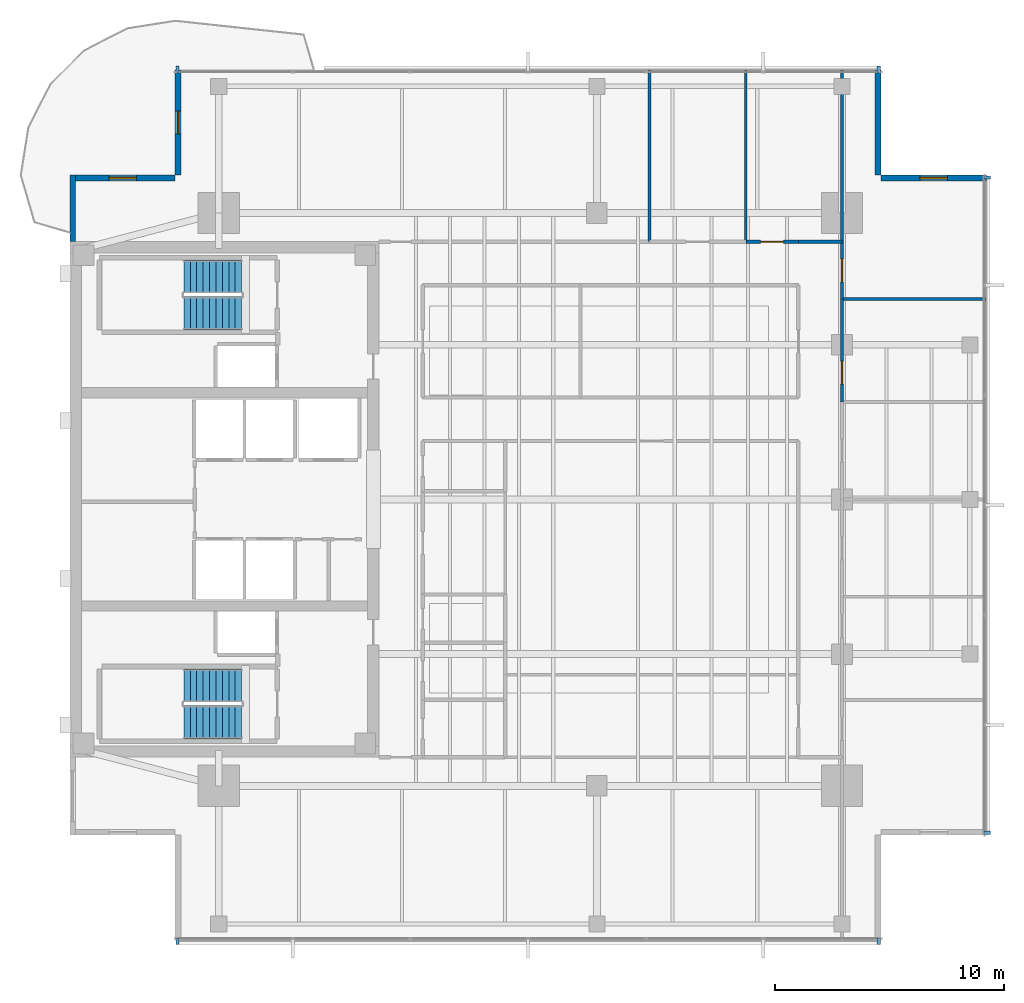
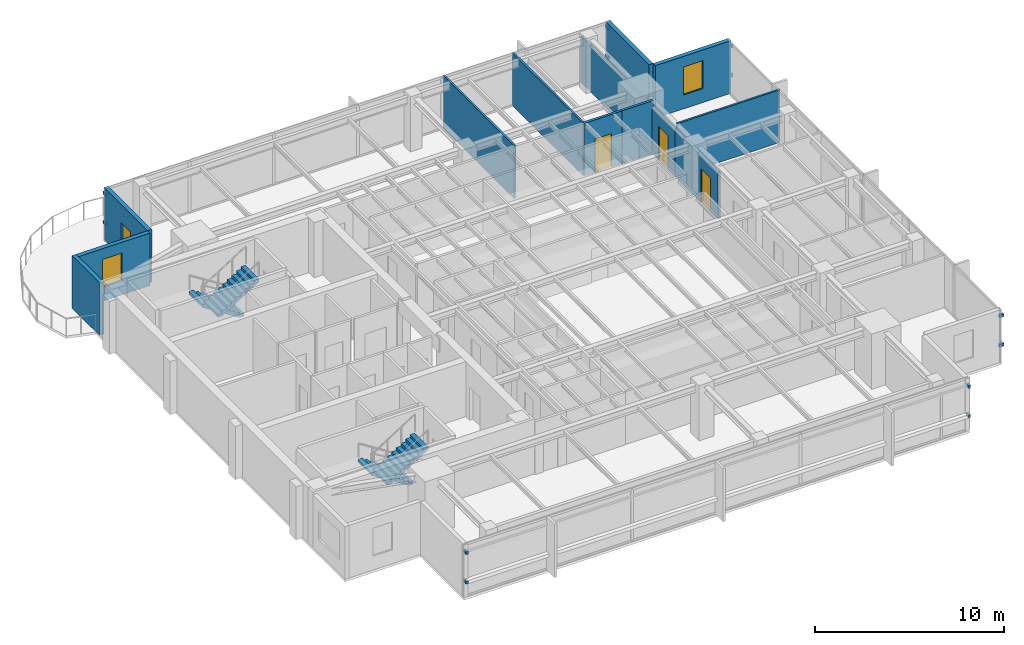
# One storey, part 9 of 13: 13 walls, 12 discrete accessories, 4 doors, 4 stair flights, 2 windows, 6 openings, 2 elements without a shape of their own.
"""IFC4 building model written with IfcOpenShell, lengths in metres."""

from ifc_helpers import new_model, si_unit, direction, frame, frame_2d, origin, origin_2d, place, context, subcontext, project, spatial, polyline, rectangle, outline, extrude, material, layer, layer_set, type_object, element, fill, aggregate, save


model = new_model("IFC4")

# Units and contexts
model_context = context("Model", 3, precision=1e-05, world=origin(), true_north=direction((0.0, 1.0)))
body_context = subcontext(model_context, "Body", "Model", "MODEL_VIEW")
ifc_project = project(units=[si_unit("LENGTHUNIT", "METRE"), si_unit("AREAUNIT", "SQUARE_METRE"), si_unit("VOLUMEUNIT", "CUBIC_METRE"), si_unit("PLANEANGLEUNIT", "RADIAN"), si_unit("MASSUNIT", "GRAM", prefix="KILO")], contexts=[model_context])

# Site, building, storey
site_placement = place(None, origin())
site = spatial("IfcSite", under=ifc_project, at=site_placement, CompositionType="ELEMENT")
building_placement = place(site_placement, origin())
building = spatial("IfcBuilding", under=site, at=building_placement, Name="Kinhvarn Gate Tower", CompositionType="ELEMENT")
storey_placement = place(building_placement, frame((0.0, 0.0, 288.300048828125)))
storey = spatial("IfcBuildingStorey", under=building, at=storey_placement, Name="L77", CompositionType="ELEMENT", Elevation=288.300048828125)

# Wall
ifc_material_1 = material(Name="Fired architectural terracotta", Category="masonry")
ifc_layer_1 = layer(ifc_material_1, 0.25)
ifc_layer_set_1 = layer_set([ifc_layer_1], Name="Fired architectural terracotta")
wall_type_1 = type_object("IfcWallType", Name="WL-EXT-250", PredefinedType="SOLIDWALL", material=ifc_layer_set_1)
wall_1_placement = place(storey_placement, frame((4.625, 39.39990234375, 0.0), z_axis=(0.0, 0.0, 1.0), x_axis=(0.0, -1.0, 0.0)))
element("IfcWall", 1, at=wall_1_placement, inside=storey, type_object=wall_type_1, Name="Exterior Solidwall Wall EW-250 (L77 West-North)", PredefinedType="SOLIDWALL", context=body_context, shape_type="SweptSolid", body=[
    extrude(rectangle(XDim=2.89990234375, YDim=0.25, at=frame_2d((1.449951171875, 0.0))), origin(), (0.0, 0.0, 1.0), 3.389892578125),
])

# Wall, opening, window
wall_2_placement = place(storey_placement, frame((44.5, 39.27490234375, 0.0), z_axis=(0.0, 0.0, 1.0), x_axis=(-1.0, 0.0, 0.0)))
wall_2 = element("IfcWall", 2, at=wall_2_placement, inside=storey, type_object=wall_type_1, Name="Exterior Solidwall Wall EW-250 (L77 NE-Notch-1)", PredefinedType="SOLIDWALL", context=body_context, shape_type="SweptSolid", body=[
    extrude(rectangle(XDim=4.60009765625, YDim=0.25, at=frame_2d((2.300048828125, 0.0))), origin(), (0.0, 0.0, 1.0), 3.389892578125),
])
opening_1_placement = place(wall_2_placement, frame((1.699951171875, 0.0, 0.89990234375)))
opening_1 = element("IfcOpeningElement", 3, at=opening_1_placement, cuts=wall_2, Name="Opening WN-02", PredefinedType="OPENING", context=body_context, shape_type="SweptSolid", body=[
    extrude(rectangle(XDim=1.199951171875, YDim=1.800048828125, at=frame_2d((0.60009765625, 0.89990234375))), frame((0.0, 0.135009765625, 0.0), z_axis=(0.0, -1.0, 0.0), x_axis=(1.0, 0.0, 0.0)), (0.0, 0.0, 1.0), 0.27001953125),
])
ifc_material_2 = material(Name="Clear low-e double glazing", Category="glass")
window_type = type_object("IfcWindowType", Name="WIN-NTC-1200", PartitioningType="SINGLE_PANEL", PredefinedType="WINDOW", material=ifc_material_2)
window_1_placement = place(opening_1_placement, origin())
window_1 = element("IfcWindow", 4, at=window_1_placement, inside=storey, type_object=window_type, Name="Recessed Corner Notch Punched Window 1200x1800 mm (L77)", OverallHeight=1.800048828125, OverallWidth=1.199951171875, PartitioningType="SINGLE_PANEL", PredefinedType="WINDOW", context=body_context, shape_type="SweptSolid", body=[
    extrude(rectangle(XDim=1.199951171875, YDim=1.800048828125, at=frame_2d((0.60009765625, 0.89990234375))), frame((0.0, 0.030029296875, 0.0), z_axis=(0.0, -1.0, 0.0), x_axis=(1.0, 0.0, 0.0)), (0.0, 0.0, 1.0), 0.06005859375),
])
fill(opening_1, window_1)

# Wall
wall_3_placement = place(storey_placement, frame((39.77490234375, 39.39990234375, 0.0), z_axis=(0.0, 0.0, 1.0), x_axis=(0.0, 1.0, 0.0)))
element("IfcWall", 5, at=wall_3_placement, inside=storey, type_object=wall_type_1, Name="Exterior Solidwall Wall EW-250 (L77 NE-Notch-2)", PredefinedType="SOLIDWALL", context=body_context, shape_type="SweptSolid", body=[
    extrude(rectangle(XDim=4.60009765625, YDim=0.25, at=frame_2d((2.300048828125, 0.0))), origin(), (0.0, 0.0, 1.0), 3.389892578125),
])

# Wall, opening, door
wall_4_placement = place(storey_placement, frame((9.22509765625, 44.0, 0.0), z_axis=(0.0, 0.0, 1.0), x_axis=(0.0, -1.0, 0.0)))
wall_4 = element("IfcWall", 6, at=wall_4_placement, inside=storey, type_object=wall_type_1, Name="Exterior Solidwall Wall EW-250 (L77 NW-Notch-Door)", PredefinedType="SOLIDWALL", context=body_context, shape_type="SweptSolid", body=[
    extrude(rectangle(XDim=4.60009765625, YDim=0.25, at=frame_2d((2.300048828125, 0.0))), origin(), (0.0, 0.0, 1.0), 3.389892578125),
])
opening_2_placement = place(wall_4_placement, frame((1.800048828125, 0.0, 0.0)))
opening_2 = element("IfcOpeningElement", 7, at=opening_2_placement, cuts=wall_4, Name="Opening BD-01", PredefinedType="OPENING", context=body_context, shape_type="SweptSolid", body=[
    extrude(rectangle(XDim=1.0, YDim=2.199951171875, at=frame_2d((0.5, 1.10009765625))), frame((0.0, 0.135009765625, 0.0), z_axis=(0.0, -1.0, 0.0), x_axis=(1.0, 0.0, 0.0)), (0.0, 0.0, 1.0), 0.27001953125),
])
door_type_1 = type_object("IfcDoorType", Name="DR-BAL-1000", OperationType="NOTDEFINED", PredefinedType="DOOR", material=ifc_material_2)
door_1_placement = place(opening_2_placement, frame((1.0, 0.0, 0.0), z_axis=(0.0, 0.0, 1.0), x_axis=(-1.0, 0.0, 0.0)))
door_1 = element("IfcDoor", 8, at=door_1_placement, inside=storey, type_object=door_type_1, Name="S-Carve Balcony Door BD-01 (L77)", OperationType="SINGLE_SWING_RIGHT", OverallHeight=2.199951171875, OverallWidth=1.0, PredefinedType="DOOR", context=body_context, shape_type="SweptSolid", body=[
    extrude(rectangle(XDim=1.0, YDim=2.199951171875, at=frame_2d((0.5, 1.10009765625))), frame((0.0, 0.02490234375, 0.0), z_axis=(0.0, -1.0, 0.0), x_axis=(1.0, 0.0, 0.0)), (0.0, 0.0, 1.0), 0.050048828125),
])
fill(opening_2, door_1)

# Wall, opening, window
wall_5_placement = place(storey_placement, frame((9.10009765625, 39.27490234375, 0.0), z_axis=(0.0, 0.0, 1.0), x_axis=(-1.0, 0.0, 0.0)))
wall_5 = element("IfcWall", 9, at=wall_5_placement, inside=storey, type_object=wall_type_1, Name="Exterior Solidwall Wall EW-250 (L77 NW-Notch-Win)", PredefinedType="SOLIDWALL", context=body_context, shape_type="SweptSolid", body=[
    extrude(rectangle(XDim=4.60009765625, YDim=0.25, at=frame_2d((2.300048828125, 0.0))), origin(), (0.0, 0.0, 1.0), 3.389892578125),
])
opening_3_placement = place(wall_5_placement, frame((1.699951171875, 0.0, 0.89990234375)))
opening_3 = element("IfcOpeningElement", 10, at=opening_3_placement, cuts=wall_5, Name="Opening WN-02", PredefinedType="OPENING", context=body_context, shape_type="SweptSolid", body=[
    extrude(rectangle(XDim=1.199951171875, YDim=1.800048828125, at=frame_2d((0.60009765625, 0.89990234375))), frame((0.0, 0.135009765625, 0.0), z_axis=(0.0, -1.0, 0.0), x_axis=(1.0, 0.0, 0.0)), (0.0, 0.0, 1.0), 0.27001953125),
])
window_2_placement = place(opening_3_placement, origin())
window_2 = element("IfcWindow", 11, at=window_2_placement, inside=storey, type_object=window_type, Name="Recessed Corner Notch Punched Window 1200x1800 mm (L77)", OverallHeight=1.800048828125, OverallWidth=1.199951171875, PartitioningType="SINGLE_PANEL", PredefinedType="WINDOW", context=body_context, shape_type="SweptSolid", body=[
    extrude(rectangle(XDim=1.199951171875, YDim=1.800048828125, at=frame_2d((0.60009765625, 0.89990234375))), frame((0.0, 0.030029296875, 0.0), z_axis=(0.0, -1.0, 0.0), x_axis=(1.0, 0.0, 0.0)), (0.0, 0.0, 1.0), 0.06005859375),
])
fill(opening_3, window_2)

# Walls
ifc_material_3 = material(Name="Gypsum acoustic partition board")
ifc_layer_2 = layer(ifc_material_3, 0.1201171875)
ifc_layer_set_2 = layer_set([ifc_layer_2], Name="Gypsum acoustic partition board")
wall_type_2 = type_object("IfcWallType", Name="WL-PRT-120", PredefinedType="PARTITIONING", material=ifc_layer_set_2)
for number, where, z_axis, x_axis, name in (
    (12, (29.800048828125, 36.5, 0.0), (0.0, 0.0, 1.0), (0.0, 1.0, 0.0), "Interior Partition PW-120 (L77)"),
    (13, (34.0, 36.5, 0.0), (0.0, 0.0, 1.0), (0.0, 1.0, 0.0), "Interior Partition PW-120 (L77)"),
):
    element("IfcWall", number, at=place(storey_placement, frame(where, z_axis=z_axis, x_axis=x_axis)), inside=storey, type_object=wall_type_2, Name=name, PredefinedType="PARTITIONING", context=body_context, shape_type="SweptSolid", body=[
        extrude(rectangle(XDim=7.489990234375, YDim=0.1201171875, at=frame_2d((3.7451171875, 0.0))), origin(), (0.0, 0.0, 1.0), 3.389892578125),
    ])
wall_6_placement = place(storey_placement, frame((38.199951171875, 36.5, 0.0), z_axis=(0.0, 0.0, 1.0), x_axis=(0.0, 1.0, 0.0)))
element("IfcWall", 14, at=wall_6_placement, inside=storey, type_object=wall_type_2, Name="Interior Partition PW-120 (L77)", PredefinedType="PARTITIONING", context=body_context, shape_type="SweptSolid", body=[
    extrude(rectangle(XDim=7.489990234375, YDim=0.1201171875, at=frame_2d((3.7451171875, 0.0))), origin(), (0.0, 0.0, 1.0), 2.989990234375),
])
wall_7_placement = place(storey_placement, frame((38.199951171875, 34.0, 0.0), z_axis=(0.0, 0.0, 1.0), x_axis=(1.0, 0.0, 0.0)))
element("IfcWall", 15, at=wall_7_placement, inside=storey, type_object=wall_type_2, Name="Interior Partition PW-120 (L77)", PredefinedType="PARTITIONING", context=body_context, shape_type="SweptSolid", body=[
    extrude(rectangle(XDim=6.2900390625, YDim=0.1201171875, at=frame_2d((3.14501953125, 0.0))), origin(), (0.0, 0.0, 1.0), 3.389892578125),
])
ifc_layer_3 = layer(ifc_material_3, 0.14990234375)
ifc_layer_set_3 = layer_set([ifc_layer_3], Name="Gypsum acoustic partition board")
wall_type_3 = type_object("IfcWallType", Name="WL-PRT-150F", PredefinedType="PARTITIONING", material=ifc_layer_set_3)
wall_8_placement = place(storey_placement, frame((36.300048828125, 36.5, 0.0), z_axis=(0.0, 0.0, 1.0), x_axis=(1.0, 0.0, 0.0)))
element("IfcWall", 16, at=wall_8_placement, inside=storey, type_object=wall_type_3, Name="Interior Partition PW-150F (L77)", PredefinedType="PARTITIONING", context=body_context, shape_type="SweptSolid", body=[
    extrude(rectangle(XDim=1.89990234375, YDim=0.14990234375, at=frame_2d((0.949951171875, 0.0))), origin(), (0.0, 0.0, 1.0), 3.389892578125),
])

# Wall, opening, door
wall_9_placement = place(storey_placement, frame((38.199951171875, 29.5, 0.0), z_axis=(0.0, 0.0, 1.0), x_axis=(0.0, 1.0, 0.0)))
wall_9 = element("IfcWall", 17, at=wall_9_placement, inside=storey, type_object=wall_type_3, Name="Interior Partition PW-150F (L77)", PredefinedType="PARTITIONING", context=body_context, shape_type="SweptSolid", body=[
    extrude(rectangle(XDim=4.5, YDim=0.14990234375, at=frame_2d((2.25, 0.0))), origin(), (0.0, 0.0, 1.0), 2.989990234375),
])
opening_4_placement = place(wall_9_placement, frame((0.778076171875, 0.0, 0.0)))
opening_4 = element("IfcOpeningElement", 18, at=opening_4_placement, cuts=wall_9, Name="Opening ID-02", PredefinedType="OPENING", context=body_context, shape_type="SweptSolid", body=[
    extrude(rectangle(XDim=1.0, YDim=2.14990234375, at=frame_2d((0.5, 1.074951171875))), frame((0.0, 0.0849609375, 0.0), z_axis=(0.0, -1.0, 0.0), x_axis=(1.0, 0.0, 0.0)), (0.0, 0.0, 1.0), 0.169921875),
])
ifc_material_4 = material(Name="Anodised aluminium AW-6063", Category="aluminium")
door_type_2 = type_object("IfcDoorType", Name="DR-INT-1000", OperationType="NOTDEFINED", PredefinedType="DOOR", material=ifc_material_4)
door_2_placement = place(opening_4_placement, origin())
door_2 = element("IfcDoor", 19, at=door_2_placement, inside=storey, type_object=door_type_2, Name="Standard Office & Meeting Room Door 1000x2150 mm (L77)", OperationType="SINGLE_SWING_LEFT", OverallHeight=2.14990234375, OverallWidth=1.0, PredefinedType="DOOR", context=body_context, shape_type="SweptSolid", body=[
    extrude(rectangle(XDim=1.0, YDim=2.14990234375, at=frame_2d((0.5, 1.074951171875))), frame((0.0, 0.02490234375, 0.0), z_axis=(0.0, -1.0, 0.0), x_axis=(1.0, 0.0, 0.0)), (0.0, 0.0, 1.0), 0.050048828125),
])
fill(opening_4, door_2)

wall_10_placement = place(storey_placement, frame((38.199951171875, 34.0, 0.0), z_axis=(0.0, 0.0, 1.0), x_axis=(0.0, 1.0, 0.0)))
wall_10 = element("IfcWall", 20, at=wall_10_placement, inside=storey, type_object=wall_type_3, Name="Interior Partition PW-150F (L77)", PredefinedType="PARTITIONING", context=body_context, shape_type="SweptSolid", body=[
    extrude(rectangle(XDim=2.5, YDim=0.14990234375, at=frame_2d((1.25, 0.0))), origin(), (0.0, 0.0, 1.0), 2.989990234375),
])
opening_5_placement = place(wall_10_placement, frame((0.75, 0.0, 0.0)))
opening_5 = element("IfcOpeningElement", 21, at=opening_5_placement, cuts=wall_10, Name="Opening ID-02", PredefinedType="OPENING", context=body_context, shape_type="SweptSolid", body=[
    extrude(rectangle(XDim=1.0, YDim=2.14990234375, at=frame_2d((0.5, 1.074951171875))), frame((0.0, 0.0849609375, 0.0), z_axis=(0.0, -1.0, 0.0), x_axis=(1.0, 0.0, 0.0)), (0.0, 0.0, 1.0), 0.169921875),
])
door_3_placement = place(opening_5_placement, origin())
door_3 = element("IfcDoor", 22, at=door_3_placement, inside=storey, type_object=door_type_2, Name="Standard Office & Meeting Room Door 1000x2150 mm (L77)", OperationType="SINGLE_SWING_RIGHT", OverallHeight=2.14990234375, OverallWidth=1.0, PredefinedType="DOOR", context=body_context, shape_type="SweptSolid", body=[
    extrude(rectangle(XDim=1.0, YDim=2.14990234375, at=frame_2d((0.5, 1.074951171875))), frame((0.0, 0.02490234375, 0.0), z_axis=(0.0, -1.0, 0.0), x_axis=(1.0, 0.0, 0.0)), (0.0, 0.0, 1.0), 0.050048828125),
])
fill(opening_5, door_3)

wall_11_placement = place(storey_placement, frame((34.0, 36.5, 0.0), z_axis=(0.0, 0.0, 1.0), x_axis=(1.0, 0.0, 0.0)))
wall_11 = element("IfcWall", 23, at=wall_11_placement, inside=storey, type_object=wall_type_3, Name="Interior Partition PW-150F (L77)", PredefinedType="PARTITIONING", context=body_context, shape_type="SweptSolid", body=[
    extrude(rectangle(XDim=2.300048828125, YDim=0.14990234375, at=frame_2d((1.14990234375, 0.0))), origin(), (0.0, 0.0, 1.0), 3.389892578125),
])
opening_6_placement = place(wall_11_placement, frame((0.64990234375, 0.0, 0.0)))
opening_6 = element("IfcOpeningElement", 24, at=opening_6_placement, cuts=wall_11, Name="Opening ID-02", PredefinedType="OPENING", context=body_context, shape_type="SweptSolid", body=[
    extrude(rectangle(XDim=1.0, YDim=2.14990234375, at=frame_2d((0.5, 1.074951171875))), frame((0.0, 0.0849609375, 0.0), z_axis=(0.0, -1.0, 0.0), x_axis=(1.0, 0.0, 0.0)), (0.0, 0.0, 1.0), 0.169921875),
])
door_4_placement = place(opening_6_placement, origin())
door_4 = element("IfcDoor", 25, at=door_4_placement, inside=storey, type_object=door_type_2, Name="Standard Office & Meeting Room Door 1000x2150 mm (L77)", OperationType="SINGLE_SWING_RIGHT", OverallHeight=2.14990234375, OverallWidth=1.0, PredefinedType="DOOR", context=body_context, shape_type="SweptSolid", body=[
    extrude(rectangle(XDim=1.0, YDim=2.14990234375, at=frame_2d((0.5, 1.074951171875))), frame((0.0, 0.02490234375, 0.0), z_axis=(0.0, -1.0, 0.0), x_axis=(1.0, 0.0, 0.0)), (0.0, 0.0, 1.0), 0.050048828125),
])
fill(opening_6, door_4)

# Stair, stair flights
ifc_material_5 = material(Name="Concrete C40/50", Category="concrete")
stair_type = type_object("IfcStairType", Name="STR-DLG-178", PredefinedType="HALF_TURN_STAIR", material=ifc_material_5)
stair_1_placement = place(storey_placement, origin())
stair_1 = element("IfcStair", 26, at=stair_1_placement, inside=storey, type_object=stair_type, Name="L77 Core Smokeproof Exit Stair ST1", PredefinedType="HALF_TURN_STAIR")
stair_flight_type = type_object("IfcStairFlightType", Name="STF-DLG-178", PredefinedType="STRAIGHT", material=ifc_material_5)
stair_flight_1_placement = place(storey_placement, frame((12.0, 17.125, 0.0), z_axis=(0.0, 0.0, 1.0), x_axis=(-1.0, 0.0, 0.0)))
stair_flight_1 = element("IfcStairFlight", 27, at=stair_flight_1_placement, type_object=stair_flight_type, Name="ST1 flight 1", NumberOfRisers=10, NumberOfTreads=9, PredefinedType="STRAIGHT", RiserHeight=0.1775, TreadLength=0.28, context=body_context, shape_type="SweptSolid", body=[
    extrude(outline(polyline([(0.0, 0.0), (0.0, 0.177490234375), (0.280029296875, 0.177490234375), (0.280029296875, 0.35498046875), (0.56005859375, 0.35498046875), (0.56005859375, 0.532470703125), (0.840087890625, 0.532470703125), (0.840087890625, 0.7099609375), (1.1201171875, 0.7099609375), (1.1201171875, 0.887451171875), (1.39990234375, 0.887451171875), (1.39990234375, 1.06494140625), (1.679931640625, 1.06494140625), (1.679931640625, 1.242431640625), (1.9599609375, 1.242431640625), (1.9599609375, 1.419921875), (2.239990234375, 1.419921875), (2.239990234375, 1.597412109375), (2.52001953125, 1.597412109375), (2.52001953125, 1.77490234375), (2.52001953125, 1.419921875), (0.280029296875, 0.0), (0.0, 0.0)])), frame((0.0, 0.72509765625, 0.0), z_axis=(0.0, -1.0, 0.0), x_axis=(1.0, 0.0, 0.0)), (0.0, 0.0, 1.0), 1.449951171875),
])
stair_flight_2_placement = place(storey_placement, frame((9.47998046875, 15.52490234375, 1.77490234375), z_axis=(0.0, 0.0, 1.0), x_axis=(1.0, 0.0, 0.0)))
stair_flight_2 = element("IfcStairFlight", 28, at=stair_flight_2_placement, type_object=stair_flight_type, Name="ST1 flight 2", NumberOfRisers=10, NumberOfTreads=9, PredefinedType="STRAIGHT", RiserHeight=0.1775, TreadLength=0.28, context=body_context, shape_type="SweptSolid", body=[
    extrude(outline(polyline([(0.0, 0.0), (0.0, 0.177490234375), (0.280029296875, 0.177490234375), (0.280029296875, 0.35498046875), (0.56005859375, 0.35498046875), (0.56005859375, 0.532470703125), (0.840087890625, 0.532470703125), (0.840087890625, 0.7099609375), (1.1201171875, 0.7099609375), (1.1201171875, 0.887451171875), (1.39990234375, 0.887451171875), (1.39990234375, 1.06494140625), (1.679931640625, 1.06494140625), (1.679931640625, 1.242431640625), (1.9599609375, 1.242431640625), (1.9599609375, 1.419921875), (2.239990234375, 1.419921875), (2.239990234375, 1.597412109375), (2.52001953125, 1.597412109375), (2.52001953125, 1.77490234375), (2.52001953125, 1.419921875), (0.280029296875, 0.0), (0.0, 0.0)])), frame((0.0, 0.72509765625, 0.0), z_axis=(0.0, -1.0, 0.0), x_axis=(1.0, 0.0, 0.0)), (0.0, 0.0, 1.0), 1.449951171875),
])
aggregate(stair_1, [stair_flight_1, stair_flight_2])

stair_2_placement = place(storey_placement, origin())
stair_2 = element("IfcStair", 29, at=stair_2_placement, inside=storey, type_object=stair_type, Name="L77 Core Smokeproof Exit Stair ST2", PredefinedType="HALF_TURN_STAIR")
stair_flight_3_placement = place(storey_placement, frame((12.0, 34.97509765625, 0.0), z_axis=(0.0, 0.0, 1.0), x_axis=(-1.0, 0.0, 0.0)))
stair_flight_3 = element("IfcStairFlight", 30, at=stair_flight_3_placement, type_object=stair_flight_type, Name="ST2 flight 1", NumberOfRisers=10, NumberOfTreads=9, PredefinedType="STRAIGHT", RiserHeight=0.1775, TreadLength=0.28, context=body_context, shape_type="SweptSolid", body=[
    extrude(outline(polyline([(0.0, 0.0), (0.0, 0.177490234375), (0.280029296875, 0.177490234375), (0.280029296875, 0.35498046875), (0.56005859375, 0.35498046875), (0.56005859375, 0.532470703125), (0.840087890625, 0.532470703125), (0.840087890625, 0.7099609375), (1.1201171875, 0.7099609375), (1.1201171875, 0.887451171875), (1.39990234375, 0.887451171875), (1.39990234375, 1.06494140625), (1.679931640625, 1.06494140625), (1.679931640625, 1.242431640625), (1.9599609375, 1.242431640625), (1.9599609375, 1.419921875), (2.239990234375, 1.419921875), (2.239990234375, 1.597412109375), (2.52001953125, 1.597412109375), (2.52001953125, 1.77490234375), (2.52001953125, 1.419921875), (0.280029296875, 0.0), (0.0, 0.0)])), frame((0.0, 0.72509765625, 0.0), z_axis=(0.0, -1.0, 0.0), x_axis=(1.0, 0.0, 0.0)), (0.0, 0.0, 1.0), 1.449951171875),
])
stair_flight_4_placement = place(storey_placement, frame((9.47998046875, 33.375, 1.77490234375), z_axis=(0.0, 0.0, 1.0), x_axis=(1.0, 0.0, 0.0)))
stair_flight_4 = element("IfcStairFlight", 31, at=stair_flight_4_placement, type_object=stair_flight_type, Name="ST2 flight 2", NumberOfRisers=10, NumberOfTreads=9, PredefinedType="STRAIGHT", RiserHeight=0.1775, TreadLength=0.28, context=body_context, shape_type="SweptSolid", body=[
    extrude(outline(polyline([(0.0, 0.0), (0.0, 0.177490234375), (0.280029296875, 0.177490234375), (0.280029296875, 0.35498046875), (0.56005859375, 0.35498046875), (0.56005859375, 0.532470703125), (0.840087890625, 0.532470703125), (0.840087890625, 0.7099609375), (1.1201171875, 0.7099609375), (1.1201171875, 0.887451171875), (1.39990234375, 0.887451171875), (1.39990234375, 1.06494140625), (1.679931640625, 1.06494140625), (1.679931640625, 1.242431640625), (1.9599609375, 1.242431640625), (1.9599609375, 1.419921875), (2.239990234375, 1.419921875), (2.239990234375, 1.597412109375), (2.52001953125, 1.597412109375), (2.52001953125, 1.77490234375), (2.52001953125, 1.419921875), (0.280029296875, 0.0), (0.0, 0.0)])), frame((0.0, 0.72509765625, 0.0), z_axis=(0.0, -1.0, 0.0), x_axis=(1.0, 0.0, 0.0)), (0.0, 0.0, 1.0), 1.449951171875),
])
aggregate(stair_2, [stair_flight_3, stair_flight_4])

# Discrete accessories
discrete_accessory_type = type_object("IfcDiscreteAccessoryType", Name="ACC-BRK-01", PredefinedType="BRACKET", material=ifc_material_4)
for number, where, z_axis, x_axis, name in (
    (32, (9.199951171875, 5.969970703125, 0.9599609375), (0.0, 0.0, 1.0), (1.0, 0.0, 0.0), "Baguette Support Bracket BK-01 (L77)"),
    (33, (9.199951171875, 5.969970703125, 2.85009765625), (0.0, 0.0, 1.0), (1.0, 0.0, 0.0), "Baguette Support Bracket BK-01 (L77)"),
    (34, (39.800048828125, 5.969970703125, 0.9599609375), (0.0, 0.0, 1.0), (1.0, 0.0, 0.0), "Baguette Support Bracket BK-01 (L77)"),
    (35, (39.800048828125, 5.969970703125, 2.85009765625), (0.0, 0.0, 1.0), (1.0, 0.0, 0.0), "Baguette Support Bracket BK-01 (L77)"),
    (36, (39.800048828125, 44.030029296875, 0.9599609375), (0.0, 0.0, 1.0), (-1.0, 0.0, 0.0), "Baguette Support Bracket BK-01 (L77)"),
    (37, (39.800048828125, 44.030029296875, 2.85009765625), (0.0, 0.0, 1.0), (-1.0, 0.0, 0.0), "Baguette Support Bracket BK-01 (L77)"),
    (38, (9.199951171875, 44.030029296875, 0.9599609375), (0.0, 0.0, 1.0), (-1.0, 0.0, 0.0), "Baguette Support Bracket BK-01 (L77)"),
    (39, (9.199951171875, 44.030029296875, 2.85009765625), (0.0, 0.0, 1.0), (-1.0, 0.0, 0.0), "Baguette Support Bracket BK-01 (L77)"),
    (40, (44.530029296875, 10.699951171875, 0.9599609375), (0.0, 0.0, 1.0), (0.0, 1.0, 0.0), "Baguette Support Bracket BK-01 (L77)"),
    (41, (44.530029296875, 10.699951171875, 2.85009765625), (0.0, 0.0, 1.0), (0.0, 1.0, 0.0), "Baguette Support Bracket BK-01 (L77)"),
    (42, (44.530029296875, 39.300048828125, 0.9599609375), (0.0, 0.0, 1.0), (0.0, 1.0, 0.0), "Baguette Support Bracket BK-01 (L77)"),
    (43, (44.530029296875, 39.300048828125, 2.85009765625), (0.0, 0.0, 1.0), (0.0, 1.0, 0.0), "Baguette Support Bracket BK-01 (L77)"),
):
    element("IfcDiscreteAccessory", number, at=place(storey_placement, frame(where, z_axis=z_axis, x_axis=x_axis)), inside=storey, type_object=discrete_accessory_type, Name=name, PredefinedType="BRACKET", context=body_context, shape_type="SweptSolid", body=[
        extrude(rectangle(XDim=0.139892578125, YDim=0.280029296875, at=origin_2d()), origin(), (0.0, 0.0, 1.0), 0.179931640625),
    ])

save(model, "model.ifc")
